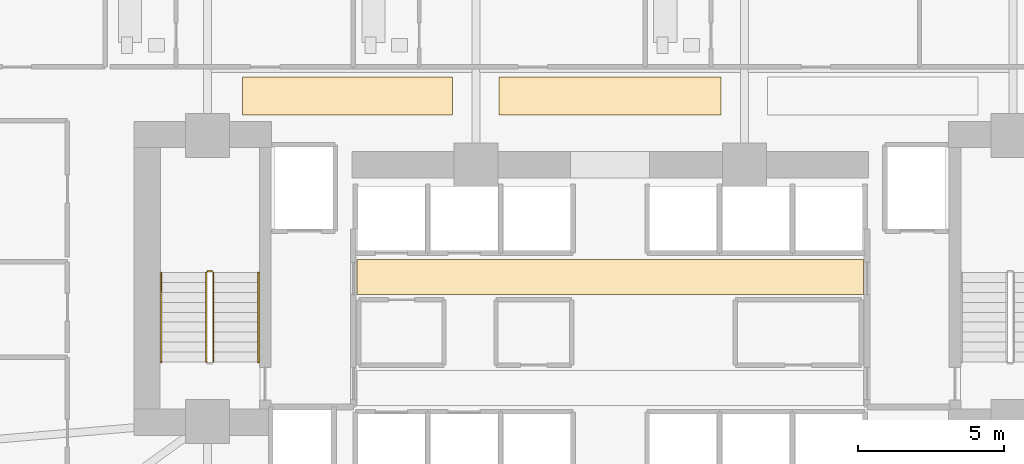
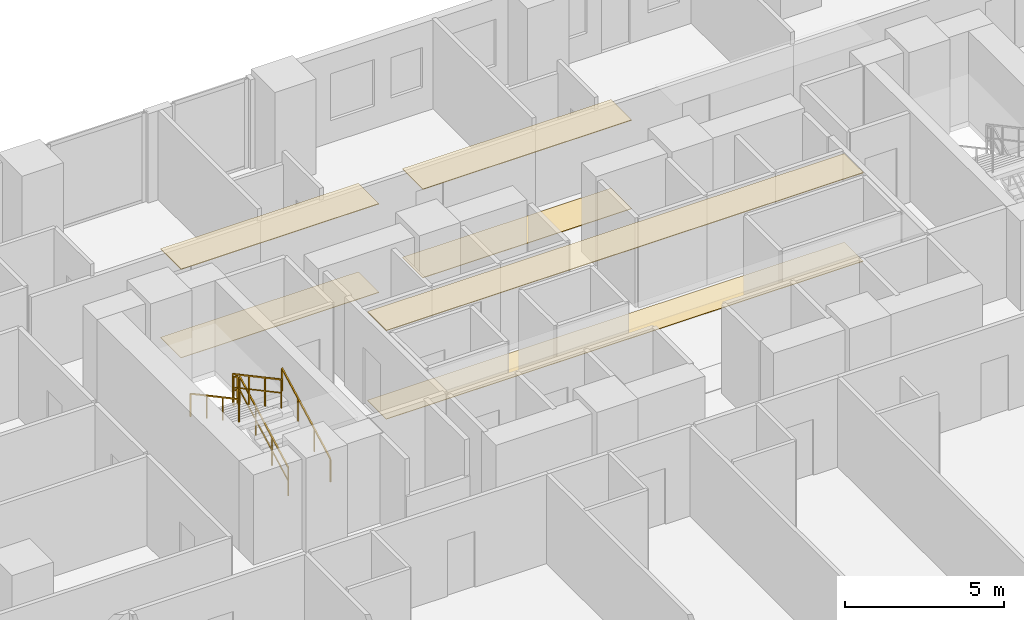
# One storey, part 26 of 29: 6 coverings, 5 railings.
"""IFC4 building model written with IfcOpenShell, lengths in metres."""

from ifc_helpers import new_model, si_unit, direction, frame, origin, origin_2d, place, context, subcontext, project, spatial, polyline, rectangle, outline, extrude, material, layer, layer_set, type_object, element, save


model = new_model("IFC4")

# Units and contexts
model_context = context("Model", 3, precision=1e-05, world=origin(), true_north=direction((0.0, 1.0)))
body_context = subcontext(model_context, "Body", "Model", "MODEL_VIEW")
ifc_project = project(units=[si_unit("LENGTHUNIT", "METRE"), si_unit("AREAUNIT", "SQUARE_METRE"), si_unit("VOLUMEUNIT", "CUBIC_METRE"), si_unit("PLANEANGLEUNIT", "RADIAN"), si_unit("MASSUNIT", "GRAM", prefix="KILO")], contexts=[model_context])

# Site, building, storey
site_placement = place(None, origin())
site = spatial("IfcSite", under=ifc_project, at=site_placement, CompositionType="ELEMENT")
building_placement = place(site_placement, origin())
building = spatial("IfcBuilding", under=site, at=building_placement, Name="Zuhayl Quay Hotel", CompositionType="ELEMENT")
storey_placement = place(building_placement, frame((0.0, 0.0, 42.199951171875)))
storey = spatial("IfcBuildingStorey", under=building, at=storey_placement, Name="L09", CompositionType="ELEMENT", Elevation=42.199951171875)

# Coverings
ifc_material_1 = material(Name="Acoustic Mineral-Fibre Gypsum Board")
ifc_layer_1 = layer(ifc_material_1, 0.02490234375, Name="Acoustic Mineral-Fibre Gypsum Board")
ifc_layer_set_1 = layer_set([ifc_layer_1], Name="Acoustic Mineral-Fibre Gypsum Board")
covering_type_1 = type_object("IfcCoveringType", Name="CV_CEIL_ACOUSTIC", PredefinedType="CEILING", material=ifc_layer_set_1)
covering_1_placement = place(storey_placement, frame((0.0, 0.0, 3.405029296875)))
element("IfcCovering", 1, at=covering_1_placement, inside=storey, type_object=covering_type_1, Name="L09 Suspended Acoustic Lobby Ceiling N", PredefinedType="CEILING", context=body_context, shape_type="SweptSolid", body=[
    extrude(outline(polyline([(-8.679931640625, 8.89990234375), (8.679931640625, 8.89990234375), (8.679931640625, 10.10009765625), (-8.679931640625, 10.10009765625), (-8.679931640625, 8.89990234375)])), origin(), (0.0, 0.0, 1.0), 0.02490234375),
])
covering_2_placement = place(storey_placement, frame((0.0, 0.0, 3.405029296875)))
element("IfcCovering", 2, at=covering_2_placement, inside=storey, type_object=covering_type_1, Name="L09 Guest Corridor Acoustic Ceiling CW", PredefinedType="CEILING", context=body_context, shape_type="SweptSolid", body=[
    extrude(outline(polyline([(-12.60009765625, 15.050048828125), (-5.39990234375, 15.050048828125), (-5.39990234375, 16.35009765625), (-12.60009765625, 16.35009765625), (-12.60009765625, 15.050048828125)])), origin(), (0.0, 0.0, 1.0), 0.02490234375),
])
covering_3_placement = place(storey_placement, frame((0.0, 0.0, 3.405029296875)))
element("IfcCovering", 3, at=covering_3_placement, inside=storey, type_object=covering_type_1, Name="L09 Guest Corridor Acoustic Ceiling CC", PredefinedType="CEILING", context=body_context, shape_type="SweptSolid", body=[
    extrude(outline(polyline([(-3.800048828125, 15.050048828125), (3.800048828125, 15.050048828125), (3.800048828125, 16.35009765625), (-3.800048828125, 16.35009765625), (-3.800048828125, 15.050048828125)])), origin(), (0.0, 0.0, 1.0), 0.02490234375),
])
ifc_material_2 = material(Name="Polished Limestone Terrazzo", Category="masonry")
ifc_layer_2 = layer(ifc_material_2, 0.02001953125, Name="Polished Limestone Terrazzo", Category="masonry")
ifc_layer_set_2 = layer_set([ifc_layer_2], Name="Polished Limestone Terrazzo")
covering_type_2 = type_object("IfcCoveringType", Name="CV_FLOOR_TERRAZZO", PredefinedType="FLOORING", material=ifc_layer_set_2)
covering_4_placement = place(storey_placement, origin())
element("IfcCovering", 4, at=covering_4_placement, inside=storey, type_object=covering_type_2, Name="L09 Honed Limestone Terrazzo Lobby Flooring N", PredefinedType="FLOORING", context=body_context, shape_type="SweptSolid", body=[
    extrude(outline(polyline([(-8.679931640625, 8.89990234375), (8.679931640625, 8.89990234375), (8.679931640625, 10.10009765625), (-8.679931640625, 10.10009765625), (-8.679931640625, 8.89990234375)])), origin(), (0.0, 0.0, 1.0), 0.02001953125),
])
covering_5_placement = place(storey_placement, origin())
element("IfcCovering", 5, at=covering_5_placement, inside=storey, type_object=covering_type_2, Name="L09 Guest Corridor Terrazzo Runner CW", PredefinedType="FLOORING", context=body_context, shape_type="SweptSolid", body=[
    extrude(outline(polyline([(-12.60009765625, 15.050048828125), (-5.39990234375, 15.050048828125), (-5.39990234375, 16.35009765625), (-12.60009765625, 16.35009765625), (-12.60009765625, 15.050048828125)])), origin(), (0.0, 0.0, 1.0), 0.02001953125),
])
covering_6_placement = place(storey_placement, origin())
element("IfcCovering", 6, at=covering_6_placement, inside=storey, type_object=covering_type_2, Name="L09 Guest Corridor Terrazzo Runner CC", PredefinedType="FLOORING", context=body_context, shape_type="SweptSolid", body=[
    extrude(outline(polyline([(-3.800048828125, 15.050048828125), (3.800048828125, 15.050048828125), (3.800048828125, 16.35009765625), (-3.800048828125, 16.35009765625), (-3.800048828125, 15.050048828125)])), origin(), (0.0, 0.0, 1.0), 0.02001953125),
])

# Railings
ifc_material_3 = material(Name="Steel ASTM A992 Grade 50", Category="steel")
railing_type_1 = type_object("IfcRailingType", Name="RL_GUARD_1100", PredefinedType="GUARDRAIL", material=ifc_material_3)
railing_1_placement = place(storey_placement, frame((-13.590087890625, 6.590087890625, 0.1826171875)))
element("IfcRailing", 7, at=railing_1_placement, inside=storey, type_object=railing_type_1, Name="L09 ST1 stair guard 1", PredefinedType="GUARDRAIL", context=body_context, shape_type="SweptSolid", body=[
    extrude(rectangle(XDim=0.048095703125, YDim=0.048095703125, at=origin_2d()), frame((0.0, 0.0, 1.09619140625), z_axis=(0.0, 0.881102395774, 0.472925541879), x_axis=(-1.0, 0.0, 0.0)), (0.0, 0.0, 1.0), 3.47265625),
    extrude(rectangle(XDim=0.0361328125, YDim=0.0361328125, at=origin_2d()), frame((0.0, 0.0, 0.58251953125), z_axis=(0.0, 0.881102395774, 0.472925541879), x_axis=(-1.0, 0.0, 0.0)), (0.0, 0.0, 1.0), 3.47265625),
    extrude(rectangle(XDim=0.0419921875, YDim=0.0419921875, at=origin_2d()), origin(), (0.0, 0.0, 1.0), 1.072021484375),
    extrude(rectangle(XDim=0.0419921875, YDim=0.0419921875, at=origin_2d()), frame((0.0, 1.02001953125, 0.54736328125)), (0.0, 0.0, 1.0), 1.072021484375),
    extrude(rectangle(XDim=0.0419921875, YDim=0.0419921875, at=origin_2d()), frame((0.0, 2.039794921875, 1.094970703125)), (0.0, 0.0, 1.0), 1.072021484375),
    extrude(rectangle(XDim=0.0419921875, YDim=0.0419921875, at=origin_2d()), frame((0.0, 3.059814453125, 1.642333984375)), (0.0, 0.0, 1.0), 1.072021484375),
])
railing_2_placement = place(storey_placement, frame((-13.639892578125, 9.699951171875, 1.824951171875)))
element("IfcRailing", 8, at=railing_2_placement, inside=storey, type_object=railing_type_1, Name="L09 ST1 stair guard 2", PredefinedType="GUARDRAIL", context=body_context, shape_type="SweptSolid", body=[
    extrude(rectangle(XDim=0.048095703125, YDim=0.048095703125, at=origin_2d()), frame((0.0, 0.0, 1.09619140625), z_axis=(-1.0, 0.0, 0.0), x_axis=(0.0, -1.0, 0.0)), (0.0, 0.0, 1.0), 0.150146484375),
    extrude(rectangle(XDim=0.0361328125, YDim=0.0361328125, at=origin_2d()), frame((0.0, 0.0, 0.58251953125), z_axis=(-1.0, 0.0, 0.0), x_axis=(0.0, -1.0, 0.0)), (0.0, 0.0, 1.0), 0.150146484375),
    extrude(rectangle(XDim=0.0419921875, YDim=0.0419921875, at=origin_2d()), origin(), (0.0, 0.0, 1.0), 1.072021484375),
    extrude(rectangle(XDim=0.0419921875, YDim=0.0419921875, at=origin_2d()), frame((-0.150146484375, 0.0, 0.0)), (0.0, 0.0, 1.0), 1.072021484375),
])
railing_3_placement = place(storey_placement, frame((-13.840087890625, 9.64990234375, 2.007568359375)))
element("IfcRailing", 9, at=railing_3_placement, inside=storey, type_object=railing_type_1, Name="L09 ST1 stair guard 3", PredefinedType="GUARDRAIL", context=body_context, shape_type="SweptSolid", body=[
    extrude(rectangle(XDim=0.048095703125, YDim=0.048095703125, at=origin_2d()), frame((0.0, 0.0, 1.09619140625), z_axis=(0.0, -0.88107310026, 0.472980117973), x_axis=(1.0, 0.0, 0.0)), (0.0, 0.0, 1.0), 3.472900390625),
    extrude(rectangle(XDim=0.0361328125, YDim=0.0361328125, at=origin_2d()), frame((0.0, 0.0, 0.58251953125), z_axis=(0.0, -0.88107310026, 0.472980117973), x_axis=(1.0, 0.0, 0.0)), (0.0, 0.0, 1.0), 3.472900390625),
    extrude(rectangle(XDim=0.0419921875, YDim=0.0419921875, at=origin_2d()), origin(), (0.0, 0.0, 1.0), 1.072021484375),
    extrude(rectangle(XDim=0.0419921875, YDim=0.0419921875, at=origin_2d()), frame((0.0, -1.02001953125, 0.547607421875)), (0.0, 0.0, 1.0), 1.072021484375),
    extrude(rectangle(XDim=0.0419921875, YDim=0.0419921875, at=origin_2d()), frame((0.0, -2.039794921875, 1.094970703125)), (0.0, 0.0, 1.0), 1.072021484375),
    extrude(rectangle(XDim=0.0419921875, YDim=0.0419921875, at=origin_2d()), frame((0.0, -3.059814453125, 1.642578125)), (0.0, 0.0, 1.0), 1.072021484375),
])
railing_type_2 = type_object("IfcRailingType", Name="RL_HANDRAIL_920", PredefinedType="HANDRAIL", material=ifc_material_3)
railing_4_placement = place(storey_placement, frame((-12.050048828125, 6.590087890625, 0.1826171875)))
element("IfcRailing", 10, at=railing_4_placement, inside=storey, type_object=railing_type_2, Name="L09 ST1 stair handrail 1", PredefinedType="HANDRAIL", context=body_context, shape_type="SweptSolid", body=[
    extrude(rectangle(XDim=0.048095703125, YDim=0.048095703125, at=origin_2d()), frame((0.0, 0.0, 0.8759765625), z_axis=(0.0, 0.881102395774, 0.472925541879), x_axis=(-1.0, 0.0, 0.0)), (0.0, 0.0, 1.0), 3.47265625),
    extrude(rectangle(XDim=0.0419921875, YDim=0.0419921875, at=origin_2d()), origin(), (0.0, 0.0, 1.0), 0.851806640625),
    extrude(rectangle(XDim=0.0419921875, YDim=0.0419921875, at=origin_2d()), frame((0.0, 1.02001953125, 0.54736328125)), (0.0, 0.0, 1.0), 0.851806640625),
    extrude(rectangle(XDim=0.0419921875, YDim=0.0419921875, at=origin_2d()), frame((0.0, 2.039794921875, 1.094970703125)), (0.0, 0.0, 1.0), 0.851806640625),
    extrude(rectangle(XDim=0.0419921875, YDim=0.0419921875, at=origin_2d()), frame((0.0, 3.059814453125, 1.642333984375)), (0.0, 0.0, 1.0), 0.851806640625),
])
railing_5_placement = place(storey_placement, frame((-15.3798828125, 9.64990234375, 2.007568359375)))
element("IfcRailing", 11, at=railing_5_placement, inside=storey, type_object=railing_type_2, Name="L09 ST1 stair handrail 2", PredefinedType="HANDRAIL", context=body_context, shape_type="SweptSolid", body=[
    extrude(rectangle(XDim=0.048095703125, YDim=0.048095703125, at=origin_2d()), frame((0.0, 0.0, 0.8759765625), z_axis=(0.0, -0.88107310026, 0.472980117973), x_axis=(1.0, 0.0, 0.0)), (0.0, 0.0, 1.0), 3.472900390625),
    extrude(rectangle(XDim=0.0419921875, YDim=0.0419921875, at=origin_2d()), origin(), (0.0, 0.0, 1.0), 0.851806640625),
    extrude(rectangle(XDim=0.0419921875, YDim=0.0419921875, at=origin_2d()), frame((0.0, -1.02001953125, 0.547607421875)), (0.0, 0.0, 1.0), 0.851806640625),
    extrude(rectangle(XDim=0.0419921875, YDim=0.0419921875, at=origin_2d()), frame((0.0, -2.039794921875, 1.094970703125)), (0.0, 0.0, 1.0), 0.851806640625),
    extrude(rectangle(XDim=0.0419921875, YDim=0.0419921875, at=origin_2d()), frame((0.0, -3.059814453125, 1.642578125)), (0.0, 0.0, 1.0), 0.851806640625),
])

save(model, "model.ifc")
